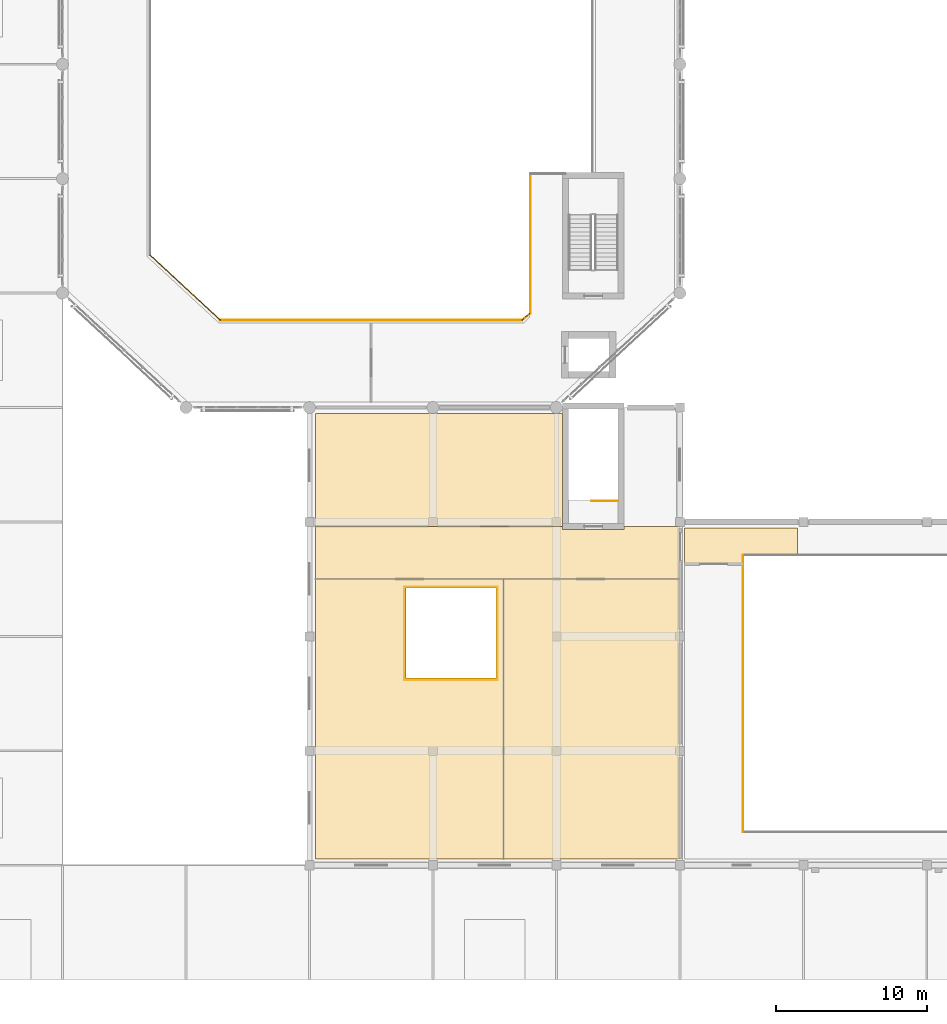
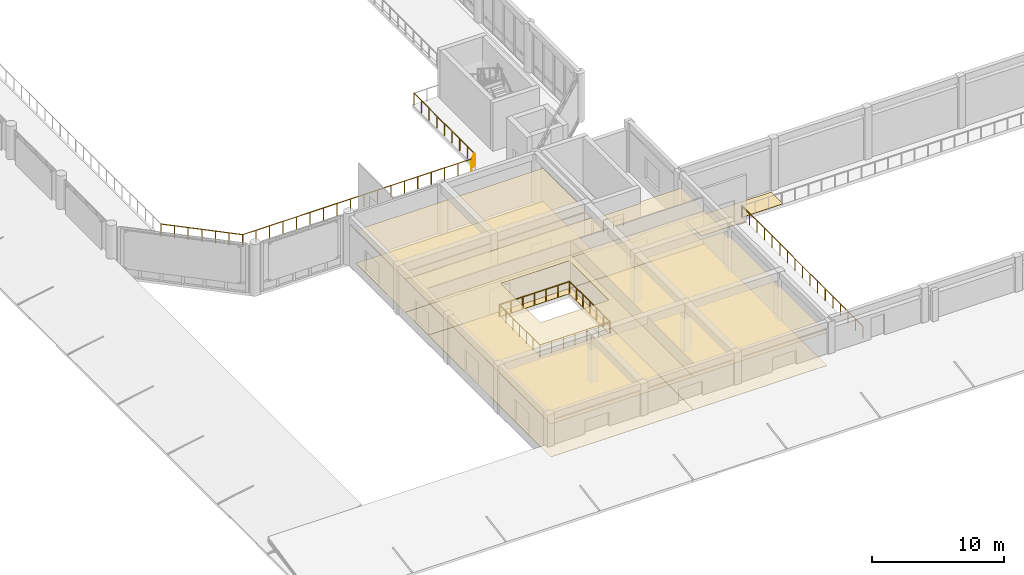
# One storey, part 50 of 57: 11 railings, 9 coverings.
"""IFC4 building model written with IfcOpenShell, lengths in metres."""

import ifcopenshell
import ifcopenshell.guid

model = None  # the IFC model being written
_history = None  # IfcOwnerHistory: only IFC2X3 demands one
_inside = {}  # id of a spatial element -> (the spatial element, [elements in it])
_under = {}  # id of a project, library or spatial element -> (it, [spatial elements below it])
_declared = {}  # id of a project -> (the project, [libraries it declares])
_typed = {}  # id of a type object -> (the type object, [elements of that type])
_made_of = {}  # id of a material, layer set ... -> (it, [elements and type objects made of it])


def new_model(schema):
    """Start an empty IFC model of exactly this schema.

    Asked for "IFC4X3", IfcOpenShell would pick the latest addendum, in which some entities
    have other attributes; the version numbers below select the first issue.
    IFC2X3 requires an IfcOwnerHistory on every rooted entity: one is made here for all.
    """
    global model, _history
    if schema == "IFC4X3":
        model = ifcopenshell.file(schema_version=(4, 3, 0, 0))
    else:
        model = ifcopenshell.file(schema=schema)
    _inside.clear()
    _under.clear()
    _declared.clear()
    _typed.clear()
    _made_of.clear()
    _history = None
    if model.schema == "IFC2X3":
        org = make("IfcOrganization", Name="unknown")
        user = make(
            "IfcPersonAndOrganization",
            ThePerson=make("IfcPerson", FamilyName="unknown"),
            TheOrganization=org,
        )
        app = make(
            "IfcApplication",
            ApplicationDeveloper=org,
            Version="unknown",
            ApplicationFullName="unknown",
            ApplicationIdentifier="unknown",
        )
        _history = make(
            "IfcOwnerHistory",
            OwningUser=user,
            OwningApplication=app,
            ChangeAction="ADDED",
            CreationDate=0,
        )
    return model


def make(cls, **values):
    """One entity of the class cls with the attributes given. An attribute that is None is left unset."""
    return model.create_entity(
        cls, **{name: value for name, value in values.items() if value is not None}
    )


def rooted(cls, **values):
    """An entity with a GlobalId (a new one), such as an element, a storey or a relation."""
    return make(cls, GlobalId=ifcopenshell.guid.new(), OwnerHistory=_history, **values)


def si_unit(unit_type, name, prefix=None):
    """IfcSIUnit, for example si_unit("LENGTHUNIT", "METRE", prefix="MILLI")."""
    return make("IfcSIUnit", UnitType=unit_type, Prefix=prefix, Name=name)


def assignment(units):
    """IfcUnitAssignment: the units of a project."""
    return None if units is None else make("IfcUnitAssignment", Units=units)


def point(xyz):
    """IfcCartesianPoint."""
    return None if xyz is None else make("IfcCartesianPoint", Coordinates=xyz)


def direction(xyz):
    """IfcDirection."""
    return None if xyz is None else make("IfcDirection", DirectionRatios=xyz)


def frame(location, z_axis=None, x_axis=None):
    """IfcAxis2Placement3D, a coordinate frame: its origin and axes. An axis left out is left unset."""
    return make(
        "IfcAxis2Placement3D",
        Location=point(location),
        Axis=direction(z_axis),
        RefDirection=direction(x_axis),
    )


def frame_2d(location, x_axis=None):
    """IfcAxis2Placement2D, a coordinate frame in the plane: its origin and x axis."""
    return make(
        "IfcAxis2Placement2D", Location=point(location), RefDirection=direction(x_axis)
    )


def origin():
    """The frame at (0, 0, 0) with its axes left unset."""
    return frame((0.0, 0.0, 0.0))


def origin_2d():
    """The frame at (0, 0) in the plane with its x axis left unset."""
    return frame_2d((0.0, 0.0))


def place(relative_to, where):
    """IfcLocalPlacement: puts the frame where relative to a parent placement (None: the world)."""
    return make(
        "IfcLocalPlacement", PlacementRelTo=relative_to, RelativePlacement=where
    )


def context(
    kind, dimensions, precision=None, world=None, true_north=None, identifier=None
):
    """IfcGeometricRepresentationContext, for example the 3D "Model" context."""
    return make(
        "IfcGeometricRepresentationContext",
        ContextIdentifier=identifier,
        ContextType=kind,
        CoordinateSpaceDimension=dimensions,
        Precision=precision,
        WorldCoordinateSystem=world,
        TrueNorth=true_north,
    )


def subcontext(parent, identifier, kind, view, scale=None):
    """IfcGeometricRepresentationSubContext, for example "Body" below "Model"."""
    return make(
        "IfcGeometricRepresentationSubContext",
        ContextIdentifier=identifier,
        ContextType=kind,
        ParentContext=parent,
        TargetScale=scale,
        TargetView=view,
    )


def project(units=None, contexts=None):
    """IfcProject with its units and contexts."""
    return rooted(
        "IfcProject",
        Name="project",
        RepresentationContexts=contexts,
        UnitsInContext=assignment(units),
    )


def spatial(cls, under=None, at=None, **own):
    """A site, building, storey or space (cls), placed at a placement, below another one or the project."""
    s = rooted(cls, ObjectPlacement=at, **own)
    if under is not None:
        _under.setdefault(under.id(), (under, []))[1].append(s)
    return s


def polyline(points):
    """IfcPolyline through the points."""
    return make("IfcPolyline", Points=[point(p) for p in points])


def profile(cls, at=None, kind="AREA", **sizes):
    """A parametric profile (cls). Its sizes go by their IFC names, for example OverallWidth=200.0."""
    return make(cls, ProfileType=kind, Position=at, **sizes)


def circle(**sizes):
    """IfcCircleProfileDef."""
    return profile("IfcCircleProfileDef", **sizes)


def outline(outer, holes=None, kind="AREA"):
    """IfcArbitraryClosedProfileDef: a profile drawn as a closed curve; with holes, ...WithVoids."""
    if holes is None:
        return make("IfcArbitraryClosedProfileDef", ProfileType=kind, OuterCurve=outer)
    return make(
        "IfcArbitraryProfileDefWithVoids",
        ProfileType=kind,
        OuterCurve=outer,
        InnerCurves=holes,
    )


def extrude(swept, where, along, depth):
    """IfcExtrudedAreaSolid: the profile swept, set in the frame where, extruded along a direction by depth."""
    return make(
        "IfcExtrudedAreaSolid",
        SweptArea=swept,
        Position=where,
        ExtrudedDirection=direction(along),
        Depth=depth,
    )


def shape(context_of_items, identifier, shape_type, items):
    """IfcShapeRepresentation: the items that make up one representation, for example the "Body"."""
    return make(
        "IfcShapeRepresentation",
        ContextOfItems=context_of_items,
        RepresentationIdentifier=identifier,
        RepresentationType=shape_type,
        Items=items,
    )


def material(Name=None, Category=None):
    """IfcMaterial."""
    return make("IfcMaterial", Name=Name, Category=Category)


def layer(
    of_material, thickness, ventilated=None, Name=None, Category=None, Priority=None
):
    """IfcMaterialLayer: one layer of a wall or slab, of a material (None: an air gap)."""
    return make(
        "IfcMaterialLayer",
        Material=of_material,
        LayerThickness=thickness,
        IsVentilated=ventilated,
        Name=Name,
        Category=Category,
        Priority=Priority,
    )


def layer_set(layers, Name=None):
    """IfcMaterialLayerSet."""
    return make("IfcMaterialLayerSet", MaterialLayers=layers, LayerSetName=Name)


def made_of(thing, what):
    """Note that an element or type object is made of a material, layer set ...; save() writes the relation."""
    if what is not None:
        _made_of.setdefault(what.id(), (what, []))[1].append(thing)
    return thing


def type_object(cls, material=None, **own):
    """A type object (cls), such as IfcWallType, which elements share."""
    return made_of(rooted(cls, **own), material)


def element(
    cls,
    number,
    at=None,
    inside=None,
    cuts=None,
    type_object=None,
    material=None,
    context=None,
    identifier="Body",
    shape_type=None,
    held_by="IfcProductDefinitionShape",
    body=None,
    shapes=None,
    **own,
):
    """One element of the class cls, such as IfcWall. Its Tag is "e" and its number.

    at: its placement. inside: the storey or other place that contains it. cuts: it is an
    opening in that element (IfcRelVoidsElement). A single representation is given by context,
    identifier, shape_type and body (its items); several are given by shapes. held_by: the class
    of the entity that holds the representations. save() writes the other relations.
    """
    e = rooted(cls, Tag="e%d" % number, ObjectPlacement=at, **own)
    if body is not None:
        shapes = [shape(context, identifier, shape_type, body)]
    if shapes is not None:
        e.Representation = make(held_by, Representations=shapes)
    if inside is not None:
        _inside.setdefault(inside.id(), (inside, []))[1].append(e)
    if cuts is not None:
        rooted(
            "IfcRelVoidsElement", RelatingBuildingElement=cuts, RelatedOpeningElement=e
        )
    if type_object is not None:
        _typed.setdefault(type_object.id(), (type_object, []))[1].append(e)
    return made_of(e, material)


def aggregate(whole, parts):
    """IfcRelAggregates: a whole, such as a stair, and the parts it consists of."""
    return rooted("IfcRelAggregates", RelatingObject=whole, RelatedObjects=parts)


def save(model, path):
    """Write the relations noted so far, then the file.

    IfcRelAggregates (storeys below a building ...), IfcRelContainedInSpatialStructure (elements
    in a storey), IfcRelDefinesByType, IfcRelAssociatesMaterial and IfcRelDeclares: one each for
    every whole, place, type object, material and project.
    """
    for whole, parts in _under.values():
        aggregate(whole, parts)
    for where, things in _inside.values():
        rooted(
            "IfcRelContainedInSpatialStructure",
            RelatedElements=things,
            RelatingStructure=where,
        )
    for kind, things in _typed.values():
        rooted("IfcRelDefinesByType", RelatedObjects=things, RelatingType=kind)
    for what, things in _made_of.values():
        rooted("IfcRelAssociatesMaterial", RelatedObjects=things, RelatingMaterial=what)
    for by, libraries in _declared.values():
        rooted("IfcRelDeclares", RelatingContext=by, RelatedDefinitions=libraries)
    model.write(path)


model = new_model("IFC4")

# Units and contexts
model_context = context("Model", 3, precision=1e-05, world=origin(), true_north=direction((0.0, 1.0)))
body_context = subcontext(model_context, "Body", "Model", "MODEL_VIEW")
ifc_project = project(units=[si_unit("LENGTHUNIT", "METRE"), si_unit("AREAUNIT", "SQUARE_METRE"), si_unit("VOLUMEUNIT", "CUBIC_METRE"), si_unit("PLANEANGLEUNIT", "RADIAN"), si_unit("MASSUNIT", "GRAM", prefix="KILO")], contexts=[model_context])

# Site, building, storey
site_placement = place(None, origin())
site = spatial("IfcSite", under=ifc_project, at=site_placement, CompositionType="ELEMENT")
building_placement = place(site_placement, origin())
building = spatial("IfcBuilding", under=site, at=building_placement, Name="Qandaris Square Conservatory and Botanical Centre", CompositionType="ELEMENT")
storey_placement = place(building_placement, frame((0.0, 0.0, 5.39990234375)))
storey = spatial("IfcBuildingStorey", under=building, at=storey_placement, Name="L01", CompositionType="ELEMENT", Elevation=5.39990234375)

# Railings
ifc_material_1 = material(Name="Tempered Low-E Glass", Category="glass")
railing_type_1 = type_object("IfcRailingType", Name="Conservatory Skywalk Glazed Balustrade 1150mm", PredefinedType="BALUSTRADE", material=ifc_material_1)
railing_1_placement = place(storey_placement, frame((26.674560546875, 52.800048828125, 0.0)))
element("IfcRailing", 1, at=railing_1_placement, inside=storey, type_object=railing_type_1, Name="Conservatory Skywalk Balustrade 1.1", PredefinedType="BALUSTRADE", context=body_context, shape_type="SweptSolid", body=[
    extrude(circle(Radius=0.02392578125, at=origin_2d()), frame((0.0, 0.0, 1.1259765625), z_axis=(-0.733449394285, 0.679744059204, 0.0), x_axis=(-0.679744059204, -0.733449394285, 0.0)), (0.0, 0.0, 1.0), 6.373291015625),
    extrude(circle(Radius=0.02099609375, at=origin_2d()), origin(), (0.0, 0.0, 1.0), 1.101806640625),
    extrude(circle(Radius=0.02099609375, at=origin_2d()), frame((-0.779052734375, 0.72216796875, 0.0)), (0.0, 0.0, 1.0), 1.101806640625),
    extrude(circle(Radius=0.02099609375, at=origin_2d()), frame((-1.55810546875, 1.444091796875, 0.0)), (0.0, 0.0, 1.0), 1.101806640625),
    extrude(circle(Radius=0.02099609375, at=origin_2d()), frame((-2.33740234375, 2.166015625, 0.0)), (0.0, 0.0, 1.0), 1.101806640625),
    extrude(circle(Radius=0.02099609375, at=origin_2d()), frame((-3.116455078125, 2.88818359375, 0.0)), (0.0, 0.0, 1.0), 1.101806640625),
    extrude(circle(Radius=0.02099609375, at=origin_2d()), frame((-3.8955078125, 3.6103515625, 0.0)), (0.0, 0.0, 1.0), 1.101806640625),
    extrude(circle(Radius=0.02099609375, at=origin_2d()), frame((-4.674560546875, 4.332275390625, 0.0)), (0.0, 0.0, 1.0), 1.101806640625),
])
railing_2_placement = place(storey_placement, frame((47.199951171875, 53.23974609375, 0.0)))
element("IfcRailing", 2, at=railing_2_placement, inside=storey, type_object=railing_type_1, Name="Conservatory Skywalk Balustrade 7.1", PredefinedType="BALUSTRADE", context=body_context, shape_type="SweptSolid", body=[
    extrude(circle(Radius=0.02392578125, at=origin_2d()), frame((0.0, 0.0, 1.1259765625), z_axis=(-0.733398166695, -0.679799330014, 0.0), x_axis=(0.679799330014, -0.733398166695, 0.0)), (0.0, 0.0, 1.0), 0.646728515625),
    extrude(circle(Radius=0.02099609375, at=origin_2d()), origin(), (0.0, 0.0, 1.0), 1.101806640625),
    extrude(circle(Radius=0.02099609375, at=origin_2d()), frame((-0.474365234375, -0.439697265625, 0.0)), (0.0, 0.0, 1.0), 1.101806640625),
])
railing_3_placement = place(storey_placement, frame((46.7255859375, 52.800048828125, 0.0)))
element("IfcRailing", 3, at=railing_3_placement, inside=storey, type_object=railing_type_1, Name="Conservatory Skywalk Balustrade 8.1", PredefinedType="BALUSTRADE", context=body_context, shape_type="SweptSolid", body=[
    extrude(circle(Radius=0.02392578125, at=origin_2d()), frame((0.0, 0.0, 1.1259765625), z_axis=(-1.0, 0.0, 0.0), x_axis=(0.0, -1.0, 0.0)), (0.0, 0.0, 1.0), 20.051025390625),
    extrude(circle(Radius=0.02099609375, at=origin_2d()), origin(), (0.0, 0.0, 1.0), 1.101806640625),
    extrude(circle(Radius=0.02099609375, at=origin_2d()), frame((-1.179443359375, 0.0, 0.0)), (0.0, 0.0, 1.0), 1.101806640625),
    extrude(circle(Radius=0.02099609375, at=origin_2d()), frame((-2.35888671875, 0.0, 0.0)), (0.0, 0.0, 1.0), 1.101806640625),
    extrude(circle(Radius=0.02099609375, at=origin_2d()), frame((-3.538330078125, 0.0, 0.0)), (0.0, 0.0, 1.0), 1.101806640625),
    extrude(circle(Radius=0.02099609375, at=origin_2d()), frame((-4.7177734375, 0.0, 0.0)), (0.0, 0.0, 1.0), 1.101806640625),
    extrude(circle(Radius=0.02099609375, at=origin_2d()), frame((-5.8974609375, 0.0, 0.0)), (0.0, 0.0, 1.0), 1.101806640625),
    extrude(circle(Radius=0.02099609375, at=origin_2d()), frame((-7.076904296875, 0.0, 0.0)), (0.0, 0.0, 1.0), 1.101806640625),
    extrude(circle(Radius=0.02099609375, at=origin_2d()), frame((-8.25634765625, 0.0, 0.0)), (0.0, 0.0, 1.0), 1.101806640625),
    extrude(circle(Radius=0.02099609375, at=origin_2d()), frame((-9.435791015625, 0.0, 0.0)), (0.0, 0.0, 1.0), 1.101806640625),
    extrude(circle(Radius=0.02099609375, at=origin_2d()), frame((-10.615234375, 0.0, 0.0)), (0.0, 0.0, 1.0), 1.101806640625),
    extrude(circle(Radius=0.02099609375, at=origin_2d()), frame((-11.794677734375, 0.0, 0.0)), (0.0, 0.0, 1.0), 1.101806640625),
    extrude(circle(Radius=0.02099609375, at=origin_2d()), frame((-12.97412109375, 0.0, 0.0)), (0.0, 0.0, 1.0), 1.101806640625),
    extrude(circle(Radius=0.02099609375, at=origin_2d()), frame((-14.153564453125, 0.0, 0.0)), (0.0, 0.0, 1.0), 1.101806640625),
    extrude(circle(Radius=0.02099609375, at=origin_2d()), frame((-15.333251953125, 0.0, 0.0)), (0.0, 0.0, 1.0), 1.101806640625),
    extrude(circle(Radius=0.02099609375, at=origin_2d()), frame((-16.5126953125, 0.0, 0.0)), (0.0, 0.0, 1.0), 1.101806640625),
    extrude(circle(Radius=0.02099609375, at=origin_2d()), frame((-17.692138671875, 0.0, 0.0)), (0.0, 0.0, 1.0), 1.101806640625),
    extrude(circle(Radius=0.02099609375, at=origin_2d()), frame((-18.87158203125, 0.0, 0.0)), (0.0, 0.0, 1.0), 1.101806640625),
    extrude(circle(Radius=0.02099609375, at=origin_2d()), frame((-20.051025390625, 0.0, 0.0)), (0.0, 0.0, 1.0), 1.101806640625),
])
railing_4_placement = place(storey_placement, frame((46.7255859375, 52.800048828125, 0.0)))
element("IfcRailing", 4, at=railing_4_placement, inside=storey, type_object=railing_type_1, Name="Conservatory Skywalk Apron Balustrade 1", PredefinedType="BALUSTRADE", context=body_context, shape_type="SweptSolid", body=[
    extrude(circle(Radius=0.02392578125, at=origin_2d()), frame((0.0, 0.0, 1.1259765625), z_axis=(0.78335288482, 0.621577234014, 0.0), x_axis=(-0.621577234014, 0.78335288482, 0.0)), (0.0, 0.0, 1.0), 0.707763671875),
    extrude(circle(Radius=0.02099609375, at=origin_2d()), origin(), (0.0, 0.0, 1.0), 1.101806640625),
    extrude(circle(Radius=0.02099609375, at=origin_2d()), frame((0.554443359375, 0.43994140625, 0.0)), (0.0, 0.0, 1.0), 1.101806640625),
])
railing_5_placement = place(storey_placement, frame((47.280029296875, 53.239990234375, 0.0)))
element("IfcRailing", 5, at=railing_5_placement, inside=storey, type_object=railing_type_1, Name="Conservatory Skywalk Apron Balustrade 2", PredefinedType="BALUSTRADE", context=body_context, shape_type="SweptSolid", body=[
    extrude(circle(Radius=0.02392578125, at=origin_2d()), frame((0.0, 0.0, 1.1259765625), z_axis=(0.0, 1.0, 0.0), x_axis=(-1.0, 0.0, 0.0)), (0.0, 0.0, 1.0), 9.280029296875),
    extrude(circle(Radius=0.02099609375, at=origin_2d()), origin(), (0.0, 0.0, 1.0), 1.101806640625),
    extrude(circle(Radius=0.02099609375, at=origin_2d()), frame((0.0, 1.159912109375, 0.0)), (0.0, 0.0, 1.0), 1.101806640625),
    extrude(circle(Radius=0.02099609375, at=origin_2d()), frame((0.0, 2.320068359375, 0.0)), (0.0, 0.0, 1.0), 1.101806640625),
    extrude(circle(Radius=0.02099609375, at=origin_2d()), frame((0.0, 3.47998046875, 0.0)), (0.0, 0.0, 1.0), 1.101806640625),
    extrude(circle(Radius=0.02099609375, at=origin_2d()), frame((0.0, 4.64013671875, 0.0)), (0.0, 0.0, 1.0), 1.101806640625),
    extrude(circle(Radius=0.02099609375, at=origin_2d()), frame((0.0, 5.800048828125, 0.0)), (0.0, 0.0, 1.0), 1.101806640625),
    extrude(circle(Radius=0.02099609375, at=origin_2d()), frame((0.0, 6.9599609375, 0.0)), (0.0, 0.0, 1.0), 1.101806640625),
    extrude(circle(Radius=0.02099609375, at=origin_2d()), frame((0.0, 8.1201171875, 0.0)), (0.0, 0.0, 1.0), 1.101806640625),
    extrude(circle(Radius=0.02099609375, at=origin_2d()), frame((0.0, 9.280029296875, 0.0)), (0.0, 0.0, 1.0), 1.101806640625),
])

# Coverings
ifc_material_2 = material(Name="Honed Qatari Limestone", Category="masonry")
ifc_layer_1 = layer(ifc_material_2, 0.030029296875)
ifc_layer_set_1 = layer_set([ifc_layer_1], Name="Honed Qatari Limestone")
covering_type_1 = type_object("IfcCoveringType", Name="Honed Qatari Limestone Concourse Paving", PredefinedType="FLOORING", material=ifc_layer_set_1)
covering_1_placement = place(storey_placement, origin())
element("IfcCovering", 6, at=covering_1_placement, inside=storey, type_object=covering_type_1, Name="Auditorium Upper Foyer Flooring", PredefinedType="FLOORING", context=body_context, shape_type="SweptSolid", body=[
    extrude(outline(polyline([(65.0, 37.199951171875), (61.39990234375, 37.199951171875), (61.39990234375, 36.60009765625), (57.5, 36.60009765625), (57.5, 39.0), (65.0, 39.0), (65.0, 37.199951171875)])), origin(), (0.0, 0.0, 1.0), 0.030029296875),
])
covering_2_placement = place(storey_placement, origin())
element("IfcCovering", 7, at=covering_2_placement, inside=storey, type_object=covering_type_1, Name="Education Wing Upper Corridor Flooring", PredefinedType="FLOORING", context=body_context, shape_type="SweptSolid", body=[
    extrude(outline(polyline([(57.199951171875, 35.60009765625), (33.0, 35.60009765625), (33.0, 39.10009765625), (49.39990234375, 39.10009765625), (49.39990234375, 38.89990234375), (53.5, 38.89990234375), (53.5, 39.10009765625), (57.199951171875, 39.10009765625), (57.199951171875, 35.60009765625)])), origin(), (0.0, 0.0, 1.0), 0.030029296875),
])
covering_3_placement = place(storey_placement, origin())
element("IfcCovering", 8, at=covering_3_placement, inside=storey, type_object=covering_type_1, Name="Visitor Centre School Teaching Laboratory Flooring", PredefinedType="FLOORING", context=body_context, shape_type="SweptSolid", body=[
    extrude(outline(polyline([(33.0, 17.0), (33.0, 35.60009765625), (45.5, 35.60009765625), (45.5, 17.0), (33.0, 17.0)]), holes=[polyline([(45.0, 35.0), (39.0, 35.0), (39.0, 29.0), (45.0, 29.0), (45.0, 35.0)])]), origin(), (0.0, 0.0, 1.0), 0.030029296875),
])
covering_4_placement = place(storey_placement, origin())
element("IfcCovering", 9, at=covering_4_placement, inside=storey, type_object=covering_type_1, Name="Youth Botany Discovery Classroom Flooring", PredefinedType="FLOORING", context=body_context, shape_type="SweptSolid", body=[
    extrude(outline(polyline([(45.5, 17.0), (45.5, 35.60009765625), (57.199951171875, 35.60009765625), (57.199951171875, 17.0), (45.5, 17.0)])), origin(), (0.0, 0.0, 1.0), 0.030029296875),
])
covering_5_placement = place(storey_placement, origin())
element("IfcCovering", 10, at=covering_5_placement, inside=storey, type_object=covering_type_1, Name="Community Desert Gardening Workshop Flooring", PredefinedType="FLOORING", context=body_context, shape_type="SweptSolid", body=[
    extrude(outline(polyline([(33.0, 39.10009765625), (33.0, 46.60009765625), (49.39990234375, 46.60009765625), (49.39990234375, 39.10009765625), (33.0, 39.10009765625)])), origin(), (0.0, 0.0, 1.0), 0.030029296875),
])
ifc_material_3 = material(Name="Gypsum Plasterboard", Category="gypsum")
ifc_layer_2 = layer(ifc_material_3, 0.02490234375)
ifc_layer_set_2 = layer_set([ifc_layer_2], Name="Gypsum Plasterboard")
covering_type_2 = type_object("IfcCoveringType", Name="Perforated Acoustic Lab Ceiling Tile", PredefinedType="CEILING", material=ifc_layer_set_2)
covering_6_placement = place(storey_placement, frame((0.0, 0.0, 3.050048828125)))
element("IfcCovering", 11, at=covering_6_placement, inside=storey, type_object=covering_type_2, Name="Education Wing Upper Corridor Ceiling", PredefinedType="CEILING", context=body_context, shape_type="SweptSolid", body=[
    extrude(outline(polyline([(57.199951171875, 35.60009765625), (33.0, 35.60009765625), (33.0, 39.10009765625), (49.39990234375, 39.10009765625), (49.39990234375, 38.89990234375), (53.5, 38.89990234375), (53.5, 39.10009765625), (57.199951171875, 39.10009765625), (57.199951171875, 35.60009765625)])), origin(), (0.0, 0.0, 1.0), 0.025146484375),
])
ifc_material_4 = material(Name="Engineered Oak Timber", Category="wood")
ifc_layer_3 = layer(ifc_material_4, 0.0400390625)
ifc_layer_set_3 = layer_set([ifc_layer_3], Name="Engineered Oak Timber")
covering_type_3 = type_object("IfcCoveringType", Name="Slatted Oak Acoustic Gallery Ceiling", PredefinedType="CEILING", material=ifc_layer_set_3)
covering_7_placement = place(storey_placement, frame((0.0, 0.0, 3.050048828125)))
element("IfcCovering", 12, at=covering_7_placement, inside=storey, type_object=covering_type_3, Name="Visitor Centre School Teaching Laboratory Ceiling", PredefinedType="CEILING", context=body_context, shape_type="SweptSolid", body=[
    extrude(outline(polyline([(33.0, 17.0), (33.0, 35.60009765625), (45.5, 35.60009765625), (45.5, 17.0), (33.0, 17.0)]), holes=[polyline([(45.0, 35.0), (39.0, 35.0), (39.0, 29.0), (45.0, 29.0), (45.0, 35.0)])]), origin(), (0.0, 0.0, 1.0), 0.0400390625),
])
covering_8_placement = place(storey_placement, frame((0.0, 0.0, 3.050048828125)))
element("IfcCovering", 13, at=covering_8_placement, inside=storey, type_object=covering_type_3, Name="Youth Botany Discovery Classroom Ceiling", PredefinedType="CEILING", context=body_context, shape_type="SweptSolid", body=[
    extrude(outline(polyline([(45.5, 17.0), (45.5, 35.60009765625), (57.199951171875, 35.60009765625), (57.199951171875, 17.0), (45.5, 17.0)])), origin(), (0.0, 0.0, 1.0), 0.0400390625),
])
covering_9_placement = place(storey_placement, frame((0.0, 0.0, 3.050048828125)))
element("IfcCovering", 14, at=covering_9_placement, inside=storey, type_object=covering_type_3, Name="Community Desert Gardening Workshop Ceiling", PredefinedType="CEILING", context=body_context, shape_type="SweptSolid", body=[
    extrude(outline(polyline([(33.0, 39.10009765625), (33.0, 46.60009765625), (49.39990234375, 46.60009765625), (49.39990234375, 39.10009765625), (33.0, 39.10009765625)])), origin(), (0.0, 0.0, 1.0), 0.0400390625),
])

# Railings
ifc_material_5 = material(Name="Stainless Steel", Category="steel")
railing_type_2 = type_object("IfcRailingType", Name="Stairwell & Atrium Guardrail 1120mm", PredefinedType="GUARDRAIL", material=ifc_material_5)
railing_6_placement = place(storey_placement, frame((53.10009765625, 40.800048828125, 0.0)))
element("IfcRailing", 15, at=railing_6_placement, inside=storey, type_object=railing_type_2, Name="L01 ST-4 top well guard 1", PredefinedType="GUARDRAIL", context=body_context, shape_type="SweptSolid", body=[
    extrude(circle(Radius=0.02392578125, at=origin_2d()), frame((0.0, 0.0, 1.09619140625), z_axis=(-1.0, 0.0, 0.0), x_axis=(0.0, -1.0, 0.0)), (0.0, 0.0, 1.0), 1.75),
    extrude(circle(Radius=0.02099609375, at=origin_2d()), origin(), (0.0, 0.0, 1.0), 1.072021484375),
    extrude(circle(Radius=0.02099609375, at=origin_2d()), frame((-0.875, 0.0, 0.0)), (0.0, 0.0, 1.0), 1.072021484375),
    extrude(circle(Radius=0.02099609375, at=origin_2d()), frame((-1.75, 0.0, 0.0)), (0.0, 0.0, 1.0), 1.072021484375),
])
railing_7_placement = place(storey_placement, frame((61.39990234375, 37.199951171875, 0.0)))
element("IfcRailing", 16, at=railing_7_placement, inside=storey, type_object=railing_type_2, Name="Auditorium Upper Gallery Guardrail 4", PredefinedType="GUARDRAIL", context=body_context, shape_type="SweptSolid", body=[
    extrude(circle(Radius=0.02392578125, at=origin_2d()), frame((0.0, 0.0, 1.09619140625), z_axis=(0.0, -1.0, 0.0), x_axis=(1.0, 0.0, 0.0)), (0.0, 0.0, 1.0), 18.39990234375),
    extrude(circle(Radius=0.02099609375, at=origin_2d()), origin(), (0.0, 0.0, 1.0), 1.072021484375),
    extrude(circle(Radius=0.02099609375, at=origin_2d()), frame((0.0, -1.14990234375, 0.0)), (0.0, 0.0, 1.0), 1.072021484375),
    extrude(circle(Radius=0.02099609375, at=origin_2d()), frame((0.0, -2.300048828125, 0.0)), (0.0, 0.0, 1.0), 1.072021484375),
    extrude(circle(Radius=0.02099609375, at=origin_2d()), frame((0.0, -3.449951171875, 0.0)), (0.0, 0.0, 1.0), 1.072021484375),
    extrude(circle(Radius=0.02099609375, at=origin_2d()), frame((0.0, -4.60009765625, 0.0)), (0.0, 0.0, 1.0), 1.072021484375),
    extrude(circle(Radius=0.02099609375, at=origin_2d()), frame((0.0, -5.75, 0.0)), (0.0, 0.0, 1.0), 1.072021484375),
    extrude(circle(Radius=0.02099609375, at=origin_2d()), frame((0.0, -6.89990234375, 0.0)), (0.0, 0.0, 1.0), 1.072021484375),
    extrude(circle(Radius=0.02099609375, at=origin_2d()), frame((0.0, -8.050048828125, 0.0)), (0.0, 0.0, 1.0), 1.072021484375),
    extrude(circle(Radius=0.02099609375, at=origin_2d()), frame((0.0, -9.199951171875, 0.0)), (0.0, 0.0, 1.0), 1.072021484375),
    extrude(circle(Radius=0.02099609375, at=origin_2d()), frame((0.0, -10.349853515625, 0.0)), (0.0, 0.0, 1.0), 1.072021484375),
    extrude(circle(Radius=0.02099609375, at=origin_2d()), frame((0.0, -11.5, 0.0)), (0.0, 0.0, 1.0), 1.072021484375),
    extrude(circle(Radius=0.02099609375, at=origin_2d()), frame((0.0, -12.64990234375, 0.0)), (0.0, 0.0, 1.0), 1.072021484375),
    extrude(circle(Radius=0.02099609375, at=origin_2d()), frame((0.0, -13.7998046875, 0.0)), (0.0, 0.0, 1.0), 1.072021484375),
    extrude(circle(Radius=0.02099609375, at=origin_2d()), frame((0.0, -14.949951171875, 0.0)), (0.0, 0.0, 1.0), 1.072021484375),
    extrude(circle(Radius=0.02099609375, at=origin_2d()), frame((0.0, -16.099853515625, 0.0)), (0.0, 0.0, 1.0), 1.072021484375),
    extrude(circle(Radius=0.02099609375, at=origin_2d()), frame((0.0, -17.25, 0.0)), (0.0, 0.0, 1.0), 1.072021484375),
    extrude(circle(Radius=0.02099609375, at=origin_2d()), frame((0.0, -18.39990234375, 0.0)), (0.0, 0.0, 1.0), 1.072021484375),
])
railing_8_placement = place(storey_placement, frame((38.919921875, 28.919921875, 0.0)))
element("IfcRailing", 17, at=railing_8_placement, inside=storey, type_object=railing_type_2, Name="Atrium Void Guardrail V3A-VOID-1", PredefinedType="GUARDRAIL", context=body_context, shape_type="SweptSolid", body=[
    extrude(circle(Radius=0.02392578125, at=origin_2d()), frame((0.0, 0.0, 1.09619140625), z_axis=(1.0, 0.0, 0.0), x_axis=(0.0, 1.0, 0.0)), (0.0, 0.0, 1.0), 6.16015625),
    extrude(circle(Radius=0.02099609375, at=origin_2d()), origin(), (0.0, 0.0, 1.0), 1.072021484375),
    extrude(circle(Radius=0.02099609375, at=origin_2d()), frame((1.026611328125, 0.0, 0.0)), (0.0, 0.0, 1.0), 1.072021484375),
    extrude(circle(Radius=0.02099609375, at=origin_2d()), frame((2.053466796875, 0.0, 0.0)), (0.0, 0.0, 1.0), 1.072021484375),
    extrude(circle(Radius=0.02099609375, at=origin_2d()), frame((3.080078125, 0.0, 0.0)), (0.0, 0.0, 1.0), 1.072021484375),
    extrude(circle(Radius=0.02099609375, at=origin_2d()), frame((4.106689453125, 0.0, 0.0)), (0.0, 0.0, 1.0), 1.072021484375),
    extrude(circle(Radius=0.02099609375, at=origin_2d()), frame((5.133544921875, 0.0, 0.0)), (0.0, 0.0, 1.0), 1.072021484375),
    extrude(circle(Radius=0.02099609375, at=origin_2d()), frame((6.16015625, 0.0, 0.0)), (0.0, 0.0, 1.0), 1.072021484375),
])
railing_9_placement = place(storey_placement, frame((45.080078125, 28.919921875, 0.0)))
element("IfcRailing", 18, at=railing_9_placement, inside=storey, type_object=railing_type_2, Name="Atrium Void Guardrail V3A-VOID-2", PredefinedType="GUARDRAIL", context=body_context, shape_type="SweptSolid", body=[
    extrude(circle(Radius=0.02392578125, at=origin_2d()), frame((0.0, 0.0, 1.09619140625), z_axis=(0.0, 1.0, 0.0), x_axis=(-1.0, 0.0, 0.0)), (0.0, 0.0, 1.0), 6.16015625),
    extrude(circle(Radius=0.02099609375, at=origin_2d()), origin(), (0.0, 0.0, 1.0), 1.072021484375),
    extrude(circle(Radius=0.02099609375, at=origin_2d()), frame((0.0, 1.026611328125, 0.0)), (0.0, 0.0, 1.0), 1.072021484375),
    extrude(circle(Radius=0.02099609375, at=origin_2d()), frame((0.0, 2.053466796875, 0.0)), (0.0, 0.0, 1.0), 1.072021484375),
    extrude(circle(Radius=0.02099609375, at=origin_2d()), frame((0.0, 3.080078125, 0.0)), (0.0, 0.0, 1.0), 1.072021484375),
    extrude(circle(Radius=0.02099609375, at=origin_2d()), frame((0.0, 4.106689453125, 0.0)), (0.0, 0.0, 1.0), 1.072021484375),
    extrude(circle(Radius=0.02099609375, at=origin_2d()), frame((0.0, 5.133544921875, 0.0)), (0.0, 0.0, 1.0), 1.072021484375),
    extrude(circle(Radius=0.02099609375, at=origin_2d()), frame((0.0, 6.16015625, 0.0)), (0.0, 0.0, 1.0), 1.072021484375),
])
railing_10_placement = place(storey_placement, frame((45.080078125, 35.080078125, 0.0)))
element("IfcRailing", 19, at=railing_10_placement, inside=storey, type_object=railing_type_2, Name="Atrium Void Guardrail V3A-VOID-3", PredefinedType="GUARDRAIL", context=body_context, shape_type="SweptSolid", body=[
    extrude(circle(Radius=0.02392578125, at=origin_2d()), frame((0.0, 0.0, 1.09619140625), z_axis=(-1.0, 0.0, 0.0), x_axis=(0.0, -1.0, 0.0)), (0.0, 0.0, 1.0), 6.16015625),
    extrude(circle(Radius=0.02099609375, at=origin_2d()), origin(), (0.0, 0.0, 1.0), 1.072021484375),
    extrude(circle(Radius=0.02099609375, at=origin_2d()), frame((-1.026611328125, 0.0, 0.0)), (0.0, 0.0, 1.0), 1.072021484375),
    extrude(circle(Radius=0.02099609375, at=origin_2d()), frame((-2.053466796875, 0.0, 0.0)), (0.0, 0.0, 1.0), 1.072021484375),
    extrude(circle(Radius=0.02099609375, at=origin_2d()), frame((-3.080078125, 0.0, 0.0)), (0.0, 0.0, 1.0), 1.072021484375),
    extrude(circle(Radius=0.02099609375, at=origin_2d()), frame((-4.106689453125, 0.0, 0.0)), (0.0, 0.0, 1.0), 1.072021484375),
    extrude(circle(Radius=0.02099609375, at=origin_2d()), frame((-5.133544921875, 0.0, 0.0)), (0.0, 0.0, 1.0), 1.072021484375),
    extrude(circle(Radius=0.02099609375, at=origin_2d()), frame((-6.16015625, 0.0, 0.0)), (0.0, 0.0, 1.0), 1.072021484375),
])
railing_11_placement = place(storey_placement, frame((38.919921875, 35.080078125, 0.0)))
element("IfcRailing", 20, at=railing_11_placement, inside=storey, type_object=railing_type_2, Name="Atrium Void Guardrail V3A-VOID-4", PredefinedType="GUARDRAIL", context=body_context, shape_type="SweptSolid", body=[
    extrude(circle(Radius=0.02392578125, at=origin_2d()), frame((0.0, 0.0, 1.09619140625), z_axis=(0.0, -1.0, 0.0), x_axis=(1.0, 0.0, 0.0)), (0.0, 0.0, 1.0), 6.16015625),
    extrude(circle(Radius=0.02099609375, at=origin_2d()), origin(), (0.0, 0.0, 1.0), 1.072021484375),
    extrude(circle(Radius=0.02099609375, at=origin_2d()), frame((0.0, -1.026611328125, 0.0)), (0.0, 0.0, 1.0), 1.072021484375),
    extrude(circle(Radius=0.02099609375, at=origin_2d()), frame((0.0, -2.053466796875, 0.0)), (0.0, 0.0, 1.0), 1.072021484375),
    extrude(circle(Radius=0.02099609375, at=origin_2d()), frame((0.0, -3.080078125, 0.0)), (0.0, 0.0, 1.0), 1.072021484375),
    extrude(circle(Radius=0.02099609375, at=origin_2d()), frame((0.0, -4.106689453125, 0.0)), (0.0, 0.0, 1.0), 1.072021484375),
    extrude(circle(Radius=0.02099609375, at=origin_2d()), frame((0.0, -5.133544921875, 0.0)), (0.0, 0.0, 1.0), 1.072021484375),
    extrude(circle(Radius=0.02099609375, at=origin_2d()), frame((0.0, -6.16015625, 0.0)), (0.0, 0.0, 1.0), 1.072021484375),
])

save(model, "model.ifc")
